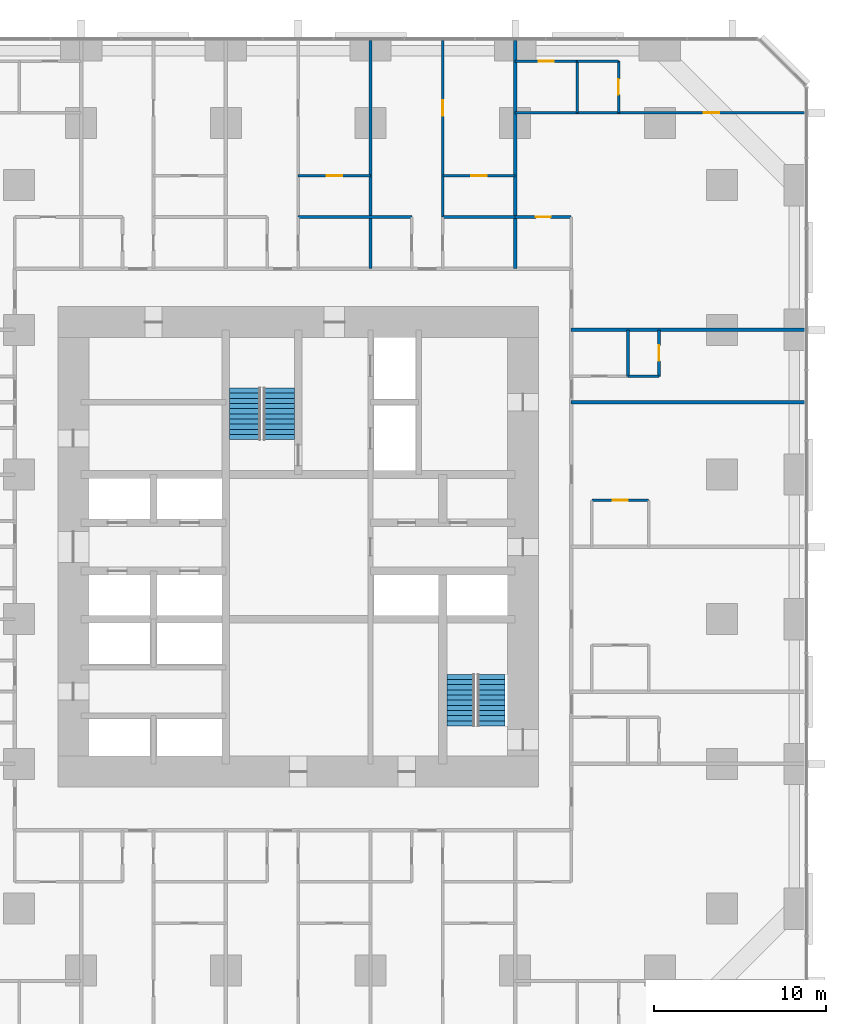
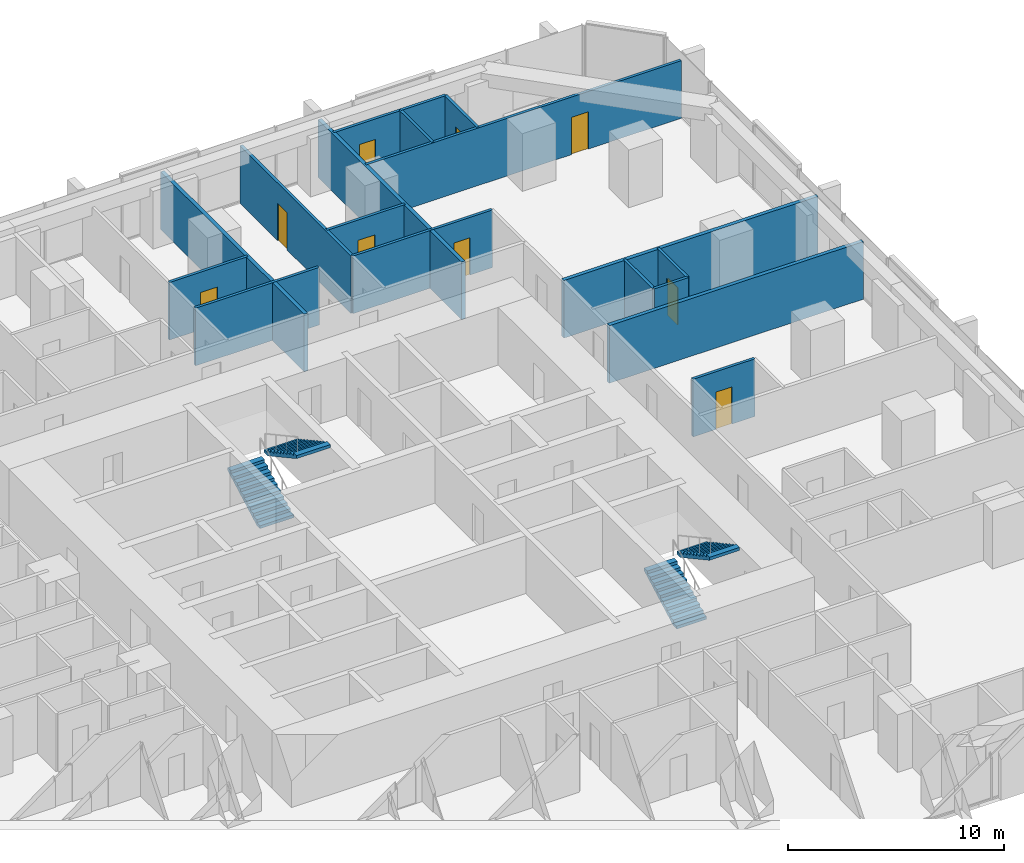
# One storey, part 16 of 17: 19 walls, 9 doors, 4 stair flights, 9 openings, 2 elements without a shape of their own.
"""IFC4 building model written with IfcOpenShell, lengths in metres."""

from ifc_helpers import new_model, si_unit, direction, frame, frame_2d, origin, place, context, subcontext, project, spatial, polyline, rectangle, outline, extrude, material, layer, layer_set, type_object, element, fill, aggregate, save


model = new_model("IFC4")

# Units and contexts
model_context = context("Model", 3, precision=1e-05, world=origin(), true_north=direction((0.0, 1.0)))
body_context = subcontext(model_context, "Body", "Model", "MODEL_VIEW")
ifc_project = project(units=[si_unit("LENGTHUNIT", "METRE"), si_unit("AREAUNIT", "SQUARE_METRE"), si_unit("VOLUMEUNIT", "CUBIC_METRE"), si_unit("PLANEANGLEUNIT", "RADIAN"), si_unit("MASSUNIT", "GRAM", prefix="KILO")], contexts=[model_context])

# Site, building, storey
site_placement = place(None, origin())
site = spatial("IfcSite", under=ifc_project, at=site_placement, CompositionType="ELEMENT")
building_placement = place(site_placement, origin())
building = spatial("IfcBuilding", under=site, at=building_placement, Name="Dunama Terrace Hotel", CompositionType="ELEMENT")
storey_placement = place(building_placement, frame((0.0, 0.0, 48.60009765625)))
storey = spatial("IfcBuildingStorey", under=building, at=storey_placement, Name="L11", CompositionType="ELEMENT", Elevation=48.60009765625)

# Wall, opening, door
ifc_material_1 = material(Name="Gypsum board partition", Category="masonry")
ifc_layer_1 = layer(ifc_material_1, 0.14990234375)
ifc_layer_set_1 = layer_set([ifc_layer_1], Name="Bathroom partition 150")
wall_type_1 = type_object("IfcWallType", Name="Bathroom partition 150", PredefinedType="PARTITIONING", material=ifc_layer_set_1)
wall_1_placement = place(storey_placement, frame((46.449951171875, 32.10009765625, 0.0), z_axis=(0.0, 0.0, 1.0), x_axis=(1.0, 0.0, 0.0)))
wall_1 = element("IfcWall", 1, at=wall_1_placement, inside=storey, type_object=wall_type_1, Name="Bathroom partition 150 L11", PredefinedType="PARTITIONING", context=body_context, shape_type="SweptSolid", body=[
    extrude(rectangle(XDim=3.300048828125, YDim=0.14990234375, at=frame_2d((1.64990234375, 0.0))), origin(), (0.0, 0.0, 1.0), 3.25),
])
opening_1_placement = place(wall_1_placement, frame((1.22509765625, 0.0, 0.0)))
opening_1 = element("IfcOpeningElement", 2, at=opening_1_placement, cuts=wall_1, Name="Opening L10-11-030", PredefinedType="OPENING", context=body_context, shape_type="SweptSolid", body=[
    extrude(rectangle(XDim=0.85009765625, YDim=2.10009765625, at=frame_2d((0.425048828125, 1.050048828125))), frame((0.0, 0.0849609375, 0.0), z_axis=(0.0, -1.0, 0.0), x_axis=(1.0, 0.0, 0.0)), (0.0, 0.0, 1.0), 0.169921875),
])
ifc_material_2 = material(Name="Timber door with steel frame", Category="steel")
door_type_1 = type_object("IfcDoorType", Name="Bathroom door 850", OperationType="SINGLE_SWING_LEFT", PredefinedType="DOOR", material=ifc_material_2)
door_1_placement = place(opening_1_placement, frame((0.85009765625, 0.0, 0.0), z_axis=(0.0, 0.0, 1.0), x_axis=(-1.0, 0.0, 0.0)))
door_1 = element("IfcDoor", 3, at=door_1_placement, inside=storey, type_object=door_type_1, Name="Door to en-suite bathroom L10-11-030, type D2", OperationType="SINGLE_SWING_LEFT", OverallHeight=2.10009765625, OverallWidth=0.85009765625, PredefinedType="DOOR", context=body_context, shape_type="SweptSolid", body=[
    extrude(rectangle(XDim=0.85009765625, YDim=2.10009765625, at=frame_2d((0.425048828125, 1.050048828125))), frame((0.0, 0.025146484375, 0.0), z_axis=(0.0, -1.0, 0.0), x_axis=(1.0, 0.0, 0.0)), (0.0, 0.0, 1.0), 0.050048828125),
])
fill(opening_1, door_1)

wall_2_placement = place(storey_placement, frame((42.0, 48.550048828125, 0.0), z_axis=(0.0, 0.0, 1.0), x_axis=(1.0, 0.0, 0.0)))
wall_2 = element("IfcWall", 4, at=wall_2_placement, inside=storey, type_object=wall_type_1, Name="Bathroom partition 150 L11", PredefinedType="PARTITIONING", context=body_context, shape_type="SweptSolid", body=[
    extrude(rectangle(XDim=3.25, YDim=0.14990234375, at=frame_2d((1.625, 0.0))), origin(), (0.0, 0.0, 1.0), 3.25),
])
opening_2_placement = place(wall_2_placement, frame((1.199951171875, 0.0, 0.0)))
opening_2 = element("IfcOpeningElement", 5, at=opening_2_placement, cuts=wall_2, Name="Opening L10-11-078", PredefinedType="OPENING", context=body_context, shape_type="SweptSolid", body=[
    extrude(rectangle(XDim=0.85009765625, YDim=2.10009765625, at=frame_2d((0.425048828125, 1.050048828125))), frame((0.0, 0.0849609375, 0.0), z_axis=(0.0, -1.0, 0.0), x_axis=(1.0, 0.0, 0.0)), (0.0, 0.0, 1.0), 0.169921875),
])
door_2_placement = place(opening_2_placement, frame((0.85009765625, 0.0, 0.0), z_axis=(0.0, 0.0, 1.0), x_axis=(-1.0, 0.0, 0.0)))
door_2 = element("IfcDoor", 6, at=door_2_placement, inside=storey, type_object=door_type_1, Name="Door to powder room L10-11-078, type D2", OperationType="SINGLE_SWING_RIGHT", OverallHeight=2.10009765625, OverallWidth=0.85009765625, PredefinedType="DOOR", context=body_context, shape_type="SweptSolid", body=[
    extrude(rectangle(XDim=0.85009765625, YDim=2.10009765625, at=frame_2d((0.425048828125, 1.050048828125))), frame((0.0, 0.025146484375, 0.0), z_axis=(0.0, -1.0, 0.0), x_axis=(1.0, 0.0, 0.0)), (0.0, 0.0, 1.0), 0.050048828125),
])
fill(opening_2, door_2)

wall_3_placement = place(storey_placement, frame((42.0, 57.60009765625, 0.0), z_axis=(0.0, 0.0, 1.0), x_axis=(1.0, 0.0, 0.0)))
wall_3 = element("IfcWall", 7, at=wall_3_placement, inside=storey, type_object=wall_type_1, Name="Bathroom partition 150 L11", PredefinedType="PARTITIONING", context=body_context, shape_type="SweptSolid", body=[
    extrude(rectangle(XDim=3.60009765625, YDim=0.14990234375, at=frame_2d((1.800048828125, 0.0))), origin(), (0.0, 0.0, 1.0), 3.25),
])
opening_3_placement = place(wall_3_placement, frame((1.375, 0.0, 0.0)))
opening_3 = element("IfcOpeningElement", 8, at=opening_3_placement, cuts=wall_3, Name="Opening L10-11-080", PredefinedType="OPENING", context=body_context, shape_type="SweptSolid", body=[
    extrude(rectangle(XDim=0.85009765625, YDim=2.10009765625, at=frame_2d((0.425048828125, 1.050048828125))), frame((0.0, 0.0849609375, 0.0), z_axis=(0.0, -1.0, 0.0), x_axis=(1.0, 0.0, 0.0)), (0.0, 0.0, 1.0), 0.169921875),
])
door_3_placement = place(opening_3_placement, frame((0.85009765625, 0.0, 0.0), z_axis=(0.0, 0.0, 1.0), x_axis=(-1.0, 0.0, 0.0)))
door_3 = element("IfcDoor", 9, at=door_3_placement, inside=storey, type_object=door_type_1, Name="Door to en-suite bathroom L10-11-080, type D2", OperationType="SINGLE_SWING_RIGHT", OverallHeight=2.10009765625, OverallWidth=0.85009765625, PredefinedType="DOOR", context=body_context, shape_type="SweptSolid", body=[
    extrude(rectangle(XDim=0.85009765625, YDim=2.10009765625, at=frame_2d((0.425048828125, 1.050048828125))), frame((0.0, 0.025146484375, 0.0), z_axis=(0.0, -1.0, 0.0), x_axis=(1.0, 0.0, 0.0)), (0.0, 0.0, 1.0), 0.050048828125),
])
fill(opening_3, door_3)

# Walls
ifc_material_3 = material(Name="Concrete blockwork", Category="masonry")
ifc_layer_2 = layer(ifc_material_3, 0.199951171875)
ifc_layer_set_2 = layer_set([ifc_layer_2], Name="Party wall 200")
wall_type_2 = type_object("IfcWallType", Name="Party wall 200", PredefinedType="PARTITIONING", material=ifc_layer_set_2)
for number, where, z_axis, x_axis, name in (
    (10, (33.60009765625, 45.550048828125, 0.0), (0.0, 0.0, 1.0), (0.0, 1.0, 0.0), "Party wall 200 L11"),
    (11, (42.0, 45.550048828125, 0.0), (0.0, 0.0, 1.0), (0.0, 1.0, 0.0), "Party wall 200 L11"),
):
    element("IfcWall", number, at=place(storey_placement, frame(where, z_axis=z_axis, x_axis=x_axis)), inside=storey, type_object=wall_type_2, Name=name, PredefinedType="PARTITIONING", context=body_context, shape_type="SweptSolid", body=[
        extrude(rectangle(XDim=13.258056640625, YDim=0.199951171875, at=frame_2d((6.62890625, 0.0))), origin(), (0.0, 0.0, 1.0), 3.25),
    ])
for number, where, z_axis, x_axis, name in (
    (12, (45.25, 37.800048828125, 0.0), (0.0, 0.0, 1.0), (1.0, 0.0, 0.0), "Party wall 200 L11"),
    (13, (45.25, 42.0, 0.0), (0.0, 0.0, 1.0), (1.0, 0.0, 0.0), "Party wall 200 L11"),
):
    element("IfcWall", number, at=place(storey_placement, frame(where, z_axis=z_axis, x_axis=x_axis)), inside=storey, type_object=wall_type_2, Name=name, PredefinedType="PARTITIONING", context=body_context, shape_type="SweptSolid", body=[
        extrude(rectangle(XDim=13.55810546875, YDim=0.199951171875, at=frame_2d((6.779052734375, 0.0))), origin(), (0.0, 0.0, 1.0), 3.25),
    ])

# Wall, opening, door
ifc_material_4 = material(Name="Gypsum board partition", Category="masonry")
ifc_layer_3 = layer(ifc_material_4, 0.14990234375)
ifc_layer_set_3 = layer_set([ifc_layer_3], Name="Room partition 150")
wall_type_3 = type_object("IfcWallType", Name="Room partition 150", PredefinedType="PARTITIONING", material=ifc_layer_set_3)
wall_4_placement = place(storey_placement, frame((37.800048828125, 48.550048828125, 0.0), z_axis=(0.0, 0.0, 1.0), x_axis=(0.0, 1.0, 0.0)))
wall_4 = element("IfcWall", 14, at=wall_4_placement, inside=storey, type_object=wall_type_3, Name="Room partition 150 L11", PredefinedType="PARTITIONING", context=body_context, shape_type="SweptSolid", body=[
    extrude(rectangle(XDim=10.258056640625, YDim=0.14990234375, at=frame_2d((5.12890625, 0.0))), origin(), (0.0, 0.0, 1.0), 3.25),
])
opening_4_placement = place(wall_4_placement, frame((5.875, 0.0, 0.0)))
opening_4 = element("IfcOpeningElement", 15, at=opening_4_placement, cuts=wall_4, Name="Opening L10-11-048", PredefinedType="OPENING", context=body_context, shape_type="SweptSolid", body=[
    extrude(rectangle(XDim=0.89990234375, YDim=2.10009765625, at=frame_2d((0.449951171875, 1.050048828125))), frame((0.0, 0.0849609375, 0.0), z_axis=(0.0, -1.0, 0.0), x_axis=(1.0, 0.0, 0.0)), (0.0, 0.0, 1.0), 0.169921875),
])
ifc_material_5 = material(Name="Timber door with steel frame", Category="steel")
door_type_2 = type_object("IfcDoorType", Name="Suite internal door 900", OperationType="SINGLE_SWING_LEFT", PredefinedType="DOOR", material=ifc_material_5)
door_4_placement = place(opening_4_placement, frame((0.89990234375, 0.0, 0.0), z_axis=(0.0, 0.0, 1.0), x_axis=(-1.0, 0.0, 0.0)))
door_4 = element("IfcDoor", 16, at=door_4_placement, inside=storey, type_object=door_type_2, Name="Door to residence bedroom L10-11-048, type D16", OperationType="SINGLE_SWING_RIGHT", OverallHeight=2.10009765625, OverallWidth=0.89990234375, PredefinedType="DOOR", context=body_context, shape_type="SweptSolid", body=[
    extrude(rectangle(XDim=0.89990234375, YDim=2.10009765625, at=frame_2d((0.449951171875, 1.050048828125))), frame((0.0, 0.025146484375, 0.0), z_axis=(0.0, -1.0, 0.0), x_axis=(1.0, 0.0, 0.0)), (0.0, 0.0, 1.0), 0.050048828125),
])
fill(opening_4, door_4)

# Wall
wall_5_placement = place(storey_placement, frame((45.60009765625, 54.60009765625, 0.0), z_axis=(0.0, 0.0, 1.0), x_axis=(0.0, 1.0, 0.0)))
element("IfcWall", 17, at=wall_5_placement, inside=storey, type_object=wall_type_3, Name="Room partition 150 L11", PredefinedType="PARTITIONING", context=body_context, shape_type="SweptSolid", body=[
    extrude(rectangle(XDim=3.0, YDim=0.14990234375, at=frame_2d((1.5, 0.0))), origin(), (0.0, 0.0, 1.0), 3.25),
])

# Wall, opening, door
wall_6_placement = place(storey_placement, frame((48.0, 54.60009765625, 0.0), z_axis=(0.0, 0.0, 1.0), x_axis=(0.0, 1.0, 0.0)))
wall_6 = element("IfcWall", 18, at=wall_6_placement, inside=storey, type_object=wall_type_3, Name="Room partition 150 L11", PredefinedType="PARTITIONING", context=body_context, shape_type="SweptSolid", body=[
    extrude(rectangle(XDim=3.0, YDim=0.14990234375, at=frame_2d((1.5, 0.0))), origin(), (0.0, 0.0, 1.0), 3.25),
])
opening_5_placement = place(wall_6_placement, frame((1.050048828125, 0.0, 0.0)))
opening_5 = element("IfcOpeningElement", 19, at=opening_5_placement, cuts=wall_6, Name="Opening L10-11-081", PredefinedType="OPENING", context=body_context, shape_type="SweptSolid", body=[
    extrude(rectangle(XDim=0.89990234375, YDim=2.10009765625, at=frame_2d((0.449951171875, 1.050048828125))), frame((0.0, 0.0849609375, 0.0), z_axis=(0.0, -1.0, 0.0), x_axis=(1.0, 0.0, 0.0)), (0.0, 0.0, 1.0), 0.169921875),
])
door_5_placement = place(opening_5_placement, origin())
door_5 = element("IfcDoor", 20, at=door_5_placement, inside=storey, type_object=door_type_2, Name="Door to dressing room L10-11-081, type D16", OperationType="SINGLE_SWING_LEFT", OverallHeight=2.10009765625, OverallWidth=0.89990234375, PredefinedType="DOOR", context=body_context, shape_type="SweptSolid", body=[
    extrude(rectangle(XDim=0.89990234375, YDim=2.10009765625, at=frame_2d((0.449951171875, 1.050048828125))), frame((0.0, 0.02490234375, 0.0), z_axis=(0.0, -1.0, 0.0), x_axis=(1.0, 0.0, 0.0)), (0.0, 0.0, 1.0), 0.050048828125),
])
fill(opening_5, door_5)

# Wall
wall_7_placement = place(storey_placement, frame((48.550048828125, 39.300048828125, 0.0), z_axis=(0.0, 0.0, 1.0), x_axis=(0.0, 1.0, 0.0)))
element("IfcWall", 21, at=wall_7_placement, inside=storey, type_object=wall_type_3, Name="Room partition 150 L11", PredefinedType="PARTITIONING", context=body_context, shape_type="SweptSolid", body=[
    extrude(rectangle(XDim=2.699951171875, YDim=0.14990234375, at=frame_2d((1.35009765625, 0.0))), origin(), (0.0, 0.0, 1.0), 3.25),
])

# Wall, opening, door
wall_8_placement = place(storey_placement, frame((50.35009765625, 39.300048828125, 0.0), z_axis=(0.0, 0.0, 1.0), x_axis=(0.0, 1.0, 0.0)))
wall_8 = element("IfcWall", 22, at=wall_8_placement, inside=storey, type_object=wall_type_3, Name="Room partition 150 L11", PredefinedType="PARTITIONING", context=body_context, shape_type="SweptSolid", body=[
    extrude(rectangle(XDim=2.699951171875, YDim=0.14990234375, at=frame_2d((1.35009765625, 0.0))), origin(), (0.0, 0.0, 1.0), 3.25),
])
opening_6_placement = place(wall_8_placement, frame((0.89990234375, 0.0, 0.0)))
opening_6 = element("IfcOpeningElement", 23, at=opening_6_placement, cuts=wall_8, Name="Opening L10-11-033", PredefinedType="OPENING", context=body_context, shape_type="SweptSolid", body=[
    extrude(rectangle(XDim=0.89990234375, YDim=2.10009765625, at=frame_2d((0.449951171875, 1.050048828125))), frame((0.0, 0.0849609375, 0.0), z_axis=(0.0, -1.0, 0.0), x_axis=(1.0, 0.0, 0.0)), (0.0, 0.0, 1.0), 0.169921875),
])
door_6_placement = place(opening_6_placement, origin())
door_6 = element("IfcDoor", 24, at=door_6_placement, inside=storey, type_object=door_type_2, Name="Door to walk-in wardrobe L10-11-033, type D16", OperationType="SINGLE_SWING_RIGHT", OverallHeight=2.10009765625, OverallWidth=0.89990234375, PredefinedType="DOOR", context=body_context, shape_type="SweptSolid", body=[
    extrude(rectangle(XDim=0.89990234375, YDim=2.10009765625, at=frame_2d((0.449951171875, 1.050048828125))), frame((0.0, 0.02490234375, 0.0), z_axis=(0.0, -1.0, 0.0), x_axis=(1.0, 0.0, 0.0)), (0.0, 0.0, 1.0), 0.050048828125),
])
fill(opening_6, door_6)

# Walls
wall_9_placement = place(storey_placement, frame((48.550048828125, 39.300048828125, 0.0), z_axis=(0.0, 0.0, 1.0), x_axis=(1.0, 0.0, 0.0)))
element("IfcWall", 25, at=wall_9_placement, inside=storey, type_object=wall_type_3, Name="Room partition 150 L11", PredefinedType="PARTITIONING", context=body_context, shape_type="SweptSolid", body=[
    extrude(rectangle(XDim=1.800048828125, YDim=0.14990234375, at=frame_2d((0.89990234375, 0.0))), origin(), (0.0, 0.0, 1.0), 3.25),
])
wall_10_placement = place(storey_placement, frame((29.39990234375, 48.550048828125, 0.0), z_axis=(0.0, 0.0, 1.0), x_axis=(1.0, 0.0, 0.0)))
element("IfcWall", 26, at=wall_10_placement, inside=storey, type_object=wall_type_3, Name="Room partition 150 L11", PredefinedType="PARTITIONING", context=body_context, shape_type="SweptSolid", body=[
    extrude(rectangle(XDim=6.60009765625, YDim=0.14990234375, at=frame_2d((3.300048828125, 0.0))), origin(), (0.0, 0.0, 1.0), 3.25),
])
wall_11_placement = place(storey_placement, frame((37.800048828125, 48.550048828125, 0.0), z_axis=(0.0, 0.0, 1.0), x_axis=(1.0, 0.0, 0.0)))
element("IfcWall", 27, at=wall_11_placement, inside=storey, type_object=wall_type_3, Name="Room partition 150 L11", PredefinedType="PARTITIONING", context=body_context, shape_type="SweptSolid", body=[
    extrude(rectangle(XDim=4.199951171875, YDim=0.14990234375, at=frame_2d((2.10009765625, 0.0))), origin(), (0.0, 0.0, 1.0), 3.25),
])

# Wall, opening, door
wall_12_placement = place(storey_placement, frame((29.39990234375, 50.949951171875, 0.0), z_axis=(0.0, 0.0, 1.0), x_axis=(1.0, 0.0, 0.0)))
wall_12 = element("IfcWall", 28, at=wall_12_placement, inside=storey, type_object=wall_type_3, Name="Room partition 150 L11", PredefinedType="PARTITIONING", context=body_context, shape_type="SweptSolid", body=[
    extrude(rectangle(XDim=4.2001953125, YDim=0.14990234375, at=frame_2d((2.10009765625, 0.0))), origin(), (0.0, 0.0, 1.0), 3.25),
])
opening_7_placement = place(wall_12_placement, frame((1.64990234375, 0.0, 0.0)))
opening_7 = element("IfcOpeningElement", 29, at=opening_7_placement, cuts=wall_12, Name="Opening L10-11-042", PredefinedType="OPENING", context=body_context, shape_type="SweptSolid", body=[
    extrude(rectangle(XDim=0.89990234375, YDim=2.10009765625, at=frame_2d((0.449951171875, 1.050048828125))), frame((0.0, 0.0849609375, 0.0), z_axis=(0.0, -1.0, 0.0), x_axis=(1.0, 0.0, 0.0)), (0.0, 0.0, 1.0), 0.169921875),
])
door_7_placement = place(opening_7_placement, frame((0.89990234375, 0.0, 0.0), z_axis=(0.0, 0.0, 1.0), x_axis=(-1.0, 0.0, 0.0)))
door_7 = element("IfcDoor", 30, at=door_7_placement, inside=storey, type_object=door_type_2, Name="Door to walk-in wardrobe L10-11-042, type D16", OperationType="SINGLE_SWING_RIGHT", OverallHeight=2.10009765625, OverallWidth=0.89990234375, PredefinedType="DOOR", context=body_context, shape_type="SweptSolid", body=[
    extrude(rectangle(XDim=0.89990234375, YDim=2.10009765625, at=frame_2d((0.449951171875, 1.050048828125))), frame((0.0, 0.025146484375, 0.0), z_axis=(0.0, -1.0, 0.0), x_axis=(1.0, 0.0, 0.0)), (0.0, 0.0, 1.0), 0.050048828125),
])
fill(opening_7, door_7)

wall_13_placement = place(storey_placement, frame((37.800048828125, 50.949951171875, 0.0), z_axis=(0.0, 0.0, 1.0), x_axis=(1.0, 0.0, 0.0)))
wall_13 = element("IfcWall", 31, at=wall_13_placement, inside=storey, type_object=wall_type_3, Name="Room partition 150 L11", PredefinedType="PARTITIONING", context=body_context, shape_type="SweptSolid", body=[
    extrude(rectangle(XDim=4.199951171875, YDim=0.14990234375, at=frame_2d((2.10009765625, 0.0))), origin(), (0.0, 0.0, 1.0), 3.25),
])
opening_8_placement = place(wall_13_placement, frame((1.64990234375, 0.0, 0.0)))
opening_8 = element("IfcOpeningElement", 32, at=opening_8_placement, cuts=wall_13, Name="Opening L10-11-047", PredefinedType="OPENING", context=body_context, shape_type="SweptSolid", body=[
    extrude(rectangle(XDim=0.89990234375, YDim=2.10009765625, at=frame_2d((0.449951171875, 1.050048828125))), frame((0.0, 0.0849609375, 0.0), z_axis=(0.0, -1.0, 0.0), x_axis=(1.0, 0.0, 0.0)), (0.0, 0.0, 1.0), 0.169921875),
])
door_8_placement = place(opening_8_placement, frame((0.89990234375, 0.0, 0.0), z_axis=(0.0, 0.0, 1.0), x_axis=(-1.0, 0.0, 0.0)))
door_8 = element("IfcDoor", 33, at=door_8_placement, inside=storey, type_object=door_type_2, Name="Door to walk-in wardrobe L10-11-047, type D16", OperationType="SINGLE_SWING_RIGHT", OverallHeight=2.10009765625, OverallWidth=0.89990234375, PredefinedType="DOOR", context=body_context, shape_type="SweptSolid", body=[
    extrude(rectangle(XDim=0.89990234375, YDim=2.10009765625, at=frame_2d((0.449951171875, 1.050048828125))), frame((0.0, 0.025146484375, 0.0), z_axis=(0.0, -1.0, 0.0), x_axis=(1.0, 0.0, 0.0)), (0.0, 0.0, 1.0), 0.050048828125),
])
fill(opening_8, door_8)

wall_14_placement = place(storey_placement, frame((42.0, 54.60009765625, 0.0), z_axis=(0.0, 0.0, 1.0), x_axis=(1.0, 0.0, 0.0)))
wall_14 = element("IfcWall", 34, at=wall_14_placement, inside=storey, type_object=wall_type_3, Name="Room partition 150 L11", PredefinedType="PARTITIONING", context=body_context, shape_type="SweptSolid", body=[
    extrude(rectangle(XDim=16.80810546875, YDim=0.14990234375, at=frame_2d((8.404052734375, 0.0))), origin(), (0.0, 0.0, 1.0), 3.25),
])
opening_9_placement = place(wall_14_placement, frame((10.949951171875, 0.0, 0.0)))
opening_9 = element("IfcOpeningElement", 35, at=opening_9_placement, cuts=wall_14, Name="Opening L10-11-079", PredefinedType="OPENING", context=body_context, shape_type="SweptSolid", body=[
    extrude(rectangle(XDim=0.89990234375, YDim=2.10009765625, at=frame_2d((0.449951171875, 1.050048828125))), frame((0.0, 0.0849609375, 0.0), z_axis=(0.0, -1.0, 0.0), x_axis=(1.0, 0.0, 0.0)), (0.0, 0.0, 1.0), 0.169921875),
])
door_9_placement = place(opening_9_placement, origin())
door_9 = element("IfcDoor", 36, at=door_9_placement, inside=storey, type_object=door_type_2, Name="Door to corner suite bedroom L10-11-079, type D16", OperationType="SINGLE_SWING_LEFT", OverallHeight=2.10009765625, OverallWidth=0.89990234375, PredefinedType="DOOR", context=body_context, shape_type="SweptSolid", body=[
    extrude(rectangle(XDim=0.89990234375, YDim=2.10009765625, at=frame_2d((0.449951171875, 1.050048828125))), frame((0.0, 0.02490234375, 0.0), z_axis=(0.0, -1.0, 0.0), x_axis=(1.0, 0.0, 0.0)), (0.0, 0.0, 1.0), 0.050048828125),
])
fill(opening_9, door_9)

# Wall
wall_15_placement = place(storey_placement, frame((45.60009765625, 57.60009765625, 0.0), z_axis=(0.0, 0.0, 1.0), x_axis=(1.0, 0.0, 0.0)))
element("IfcWall", 37, at=wall_15_placement, inside=storey, type_object=wall_type_3, Name="Room partition 150 L11", PredefinedType="PARTITIONING", context=body_context, shape_type="SweptSolid", body=[
    extrude(rectangle(XDim=2.39990234375, YDim=0.14990234375, at=frame_2d((1.199951171875, 0.0))), origin(), (0.0, 0.0, 1.0), 3.25),
])

# Stair, stair flights
ifc_material_6 = material(Name="Concrete C40/50", Category="concrete")
stair_type_1 = type_object("IfcStairType", Name="Stair ST1-3600-1800", PredefinedType="HALF_TURN_STAIR", material=ifc_material_6)
stair_1_placement = place(storey_placement, origin())
stair_1 = element("IfcStair", 38, at=stair_1_placement, inside=storey, type_object=stair_type_1, Name="Stair ST1 L11", PredefinedType="HALF_TURN_STAIR")
ifc_material_7 = material(Name="Concrete C40/50", Category="concrete")
stair_flight_type_1 = type_object("IfcStairFlightType", Name="Stair flight ST1-3600-1800", PredefinedType="STRAIGHT", material=ifc_material_7)
stair_flight_1_placement = place(storey_placement, frame((26.324951171875, 35.625, 0.0), z_axis=(0.0, 0.0, 1.0), x_axis=(0.0, 1.0, 0.0)))
stair_flight_1 = element("IfcStairFlight", 39, at=stair_flight_1_placement, type_object=stair_flight_type_1, Name="ST1 flight 1", NumberOfRisers=11, NumberOfTreads=10, PredefinedType="STRAIGHT", RiserHeight=0.163636364, TreadLength=0.3, context=body_context, shape_type="SweptSolid", body=[
    extrude(outline(polyline([(0.0, 0.0), (0.0, 0.16357421875), (0.300048828125, 0.16357421875), (0.300048828125, 0.327392578125), (0.60009765625, 0.327392578125), (0.60009765625, 0.490966796875), (0.89990234375, 0.490966796875), (0.89990234375, 0.654541015625), (1.199951171875, 0.654541015625), (1.199951171875, 0.818115234375), (1.5, 0.818115234375), (1.5, 0.98193359375), (1.800048828125, 0.98193359375), (1.800048828125, 1.1455078125), (2.10009765625, 1.1455078125), (2.10009765625, 1.30908203125), (2.39990234375, 1.30908203125), (2.39990234375, 1.47265625), (2.699951171875, 1.47265625), (2.699951171875, 1.636474609375), (3.0, 1.636474609375), (3.0, 1.800048828125), (3.0, 1.465576171875), (0.31298828125, 0.0), (0.0, 0.0)])), frame((0.0, 0.89990234375, 0.0), z_axis=(0.0, -1.0, 0.0), x_axis=(1.0, 0.0, 0.0)), (0.0, 0.0, 1.0), 1.800048828125),
])
stair_flight_2_placement = place(storey_placement, frame((28.27490234375, 38.625, 1.7998046875), z_axis=(0.0, 0.0, 1.0), x_axis=(0.0, -1.0, 0.0)))
stair_flight_2 = element("IfcStairFlight", 40, at=stair_flight_2_placement, type_object=stair_flight_type_1, Name="ST1 flight 2", NumberOfRisers=11, NumberOfTreads=10, PredefinedType="STRAIGHT", RiserHeight=0.163636364, TreadLength=0.3, context=body_context, shape_type="SweptSolid", body=[
    extrude(outline(polyline([(0.0, 0.0), (0.0, 0.16357421875), (0.300048828125, 0.16357421875), (0.300048828125, 0.327392578125), (0.60009765625, 0.327392578125), (0.60009765625, 0.490966796875), (0.89990234375, 0.490966796875), (0.89990234375, 0.654541015625), (1.199951171875, 0.654541015625), (1.199951171875, 0.818115234375), (1.5, 0.818115234375), (1.5, 0.98193359375), (1.800048828125, 0.98193359375), (1.800048828125, 1.1455078125), (2.10009765625, 1.1455078125), (2.10009765625, 1.30908203125), (2.39990234375, 1.30908203125), (2.39990234375, 1.47265625), (2.699951171875, 1.47265625), (2.699951171875, 1.636474609375), (3.0, 1.636474609375), (3.0, 1.800048828125), (3.0, 1.465576171875), (0.31298828125, 0.0), (0.0, 0.0)])), frame((0.0, 0.89990234375, 0.0), z_axis=(0.0, -1.0, 0.0), x_axis=(1.0, 0.0, 0.0)), (0.0, 0.0, 1.0), 1.800048828125),
])
aggregate(stair_1, [stair_flight_1, stair_flight_2])

ifc_material_8 = material(Name="Concrete C40/50", Category="concrete")
stair_type_2 = type_object("IfcStairType", Name="Stair ST2-3600-1600", PredefinedType="HALF_TURN_STAIR", material=ifc_material_8)
stair_2_placement = place(storey_placement, origin())
stair_2 = element("IfcStair", 41, at=stair_2_placement, inside=storey, type_object=stair_type_2, Name="Stair ST2 L11", PredefinedType="HALF_TURN_STAIR")
ifc_material_9 = material(Name="Concrete C40/50", Category="concrete")
stair_flight_type_2 = type_object("IfcStairFlightType", Name="Stair flight ST2-3600-1600", PredefinedType="STRAIGHT", material=ifc_material_9)
stair_flight_3_placement = place(storey_placement, frame((38.85009765625, 19.0, 0.0), z_axis=(0.0, 0.0, 1.0), x_axis=(0.0, 1.0, 0.0)))
stair_flight_3 = element("IfcStairFlight", 42, at=stair_flight_3_placement, type_object=stair_flight_type_2, Name="ST2 flight 1", NumberOfRisers=11, NumberOfTreads=10, PredefinedType="STRAIGHT", RiserHeight=0.163636364, TreadLength=0.3, context=body_context, shape_type="SweptSolid", body=[
    extrude(outline(polyline([(0.0, 0.0), (0.0, 0.16357421875), (0.300048828125, 0.16357421875), (0.300048828125, 0.327392578125), (0.60009765625, 0.327392578125), (0.60009765625, 0.490966796875), (0.89990234375, 0.490966796875), (0.89990234375, 0.654541015625), (1.199951171875, 0.654541015625), (1.199951171875, 0.818115234375), (1.5, 0.818115234375), (1.5, 0.98193359375), (1.800048828125, 0.98193359375), (1.800048828125, 1.1455078125), (2.10009765625, 1.1455078125), (2.10009765625, 1.30908203125), (2.39990234375, 1.30908203125), (2.39990234375, 1.47265625), (2.699951171875, 1.47265625), (2.699951171875, 1.636474609375), (3.0, 1.636474609375), (3.0, 1.800048828125), (3.0, 1.465576171875), (0.31298828125, 0.0), (0.0, 0.0)])), frame((0.0, 0.800048828125, 0.0), z_axis=(0.0, -1.0, 0.0), x_axis=(1.0, 0.0, 0.0)), (0.0, 0.0, 1.0), 1.60009765625),
])
stair_flight_4_placement = place(storey_placement, frame((40.60009765625, 22.0, 1.7998046875), z_axis=(0.0, 0.0, 1.0), x_axis=(0.0, -1.0, 0.0)))
stair_flight_4 = element("IfcStairFlight", 43, at=stair_flight_4_placement, type_object=stair_flight_type_2, Name="ST2 flight 2", NumberOfRisers=11, NumberOfTreads=10, PredefinedType="STRAIGHT", RiserHeight=0.163636364, TreadLength=0.3, context=body_context, shape_type="SweptSolid", body=[
    extrude(outline(polyline([(0.0, 0.0), (0.0, 0.16357421875), (0.300048828125, 0.16357421875), (0.300048828125, 0.327392578125), (0.60009765625, 0.327392578125), (0.60009765625, 0.490966796875), (0.89990234375, 0.490966796875), (0.89990234375, 0.654541015625), (1.199951171875, 0.654541015625), (1.199951171875, 0.818115234375), (1.5, 0.818115234375), (1.5, 0.98193359375), (1.800048828125, 0.98193359375), (1.800048828125, 1.1455078125), (2.10009765625, 1.1455078125), (2.10009765625, 1.30908203125), (2.39990234375, 1.30908203125), (2.39990234375, 1.47265625), (2.699951171875, 1.47265625), (2.699951171875, 1.636474609375), (3.0, 1.636474609375), (3.0, 1.800048828125), (3.0, 1.465576171875), (0.31298828125, 0.0), (0.0, 0.0)])), frame((0.0, 0.800048828125, 0.0), z_axis=(0.0, -1.0, 0.0), x_axis=(1.0, 0.0, 0.0)), (0.0, 0.0, 1.0), 1.60009765625),
])
aggregate(stair_2, [stair_flight_3, stair_flight_4])

save(model, "model.ifc")
